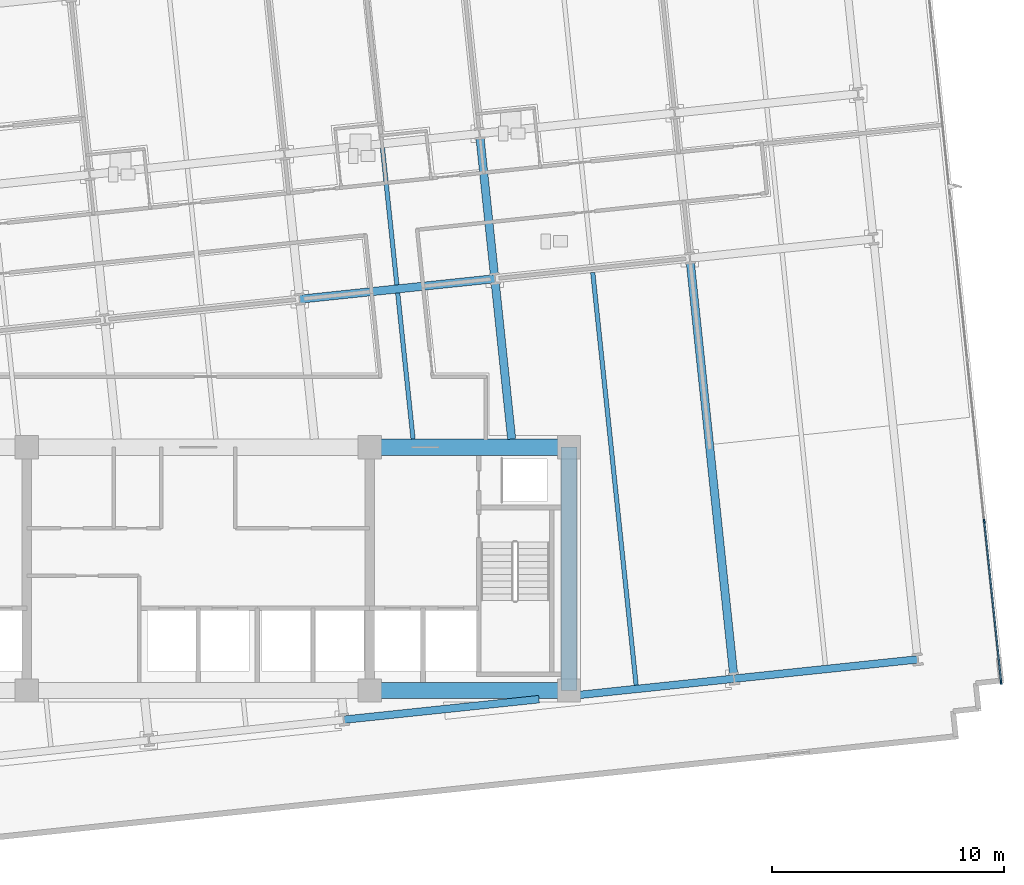
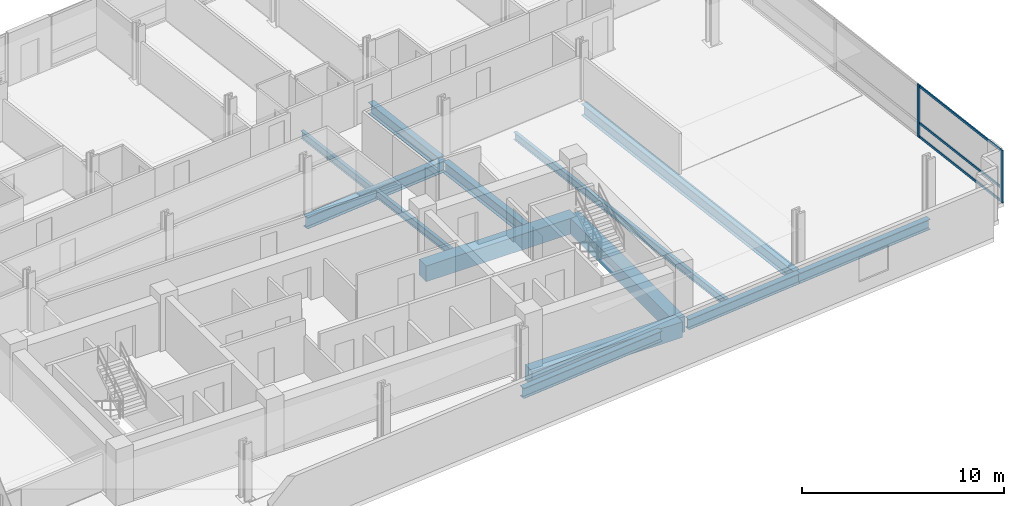
# One storey, part 4 of 18: 13 beams, 5 members, 1 element without a shape of its own.
"""IFC4 building model written with IfcOpenShell, lengths in metres."""

from ifc_helpers import new_model, si_unit, direction, frame, origin, origin_2d, place, context, subcontext, project, spatial, rectangle, i_section, extrude, material, material_profile, profile_set, type_object, element, aggregate, save


model = new_model("IFC4")

# Units and contexts
model_context = context("Model", 3, precision=1e-05, world=origin(), true_north=direction((0.0, 1.0)))
body_context = subcontext(model_context, "Body", "Model", "MODEL_VIEW")
ifc_project = project(units=[si_unit("LENGTHUNIT", "METRE"), si_unit("AREAUNIT", "SQUARE_METRE"), si_unit("VOLUMEUNIT", "CUBIC_METRE"), si_unit("PLANEANGLEUNIT", "RADIAN"), si_unit("MASSUNIT", "GRAM", prefix="KILO")], contexts=[model_context])

# Site, building, storey
site_placement = place(None, origin())
site = spatial("IfcSite", under=ifc_project, at=site_placement, CompositionType="ELEMENT")
building_placement = place(site_placement, origin())
building = spatial("IfcBuilding", under=site, at=building_placement, Name="Solmavex Isthmus Hotel", CompositionType="ELEMENT")
storey_placement = place(building_placement, frame((0.0, 0.0, 120.14990234375)))
storey = spatial("IfcBuildingStorey", under=building, at=storey_placement, Name="L32", CompositionType="ELEMENT", Elevation=120.14990234375)

# Beams
ifc_material_1 = material(Name="Steel ASTM A992 Grade 50", Category="steel")
ifc_material_profile_1 = material_profile(ifc_material_1, i_section(OverallWidth=0.354736328125, OverallDepth=0.695556640625, WebThickness=0.015380859375, FlangeThickness=0.02490234375, FilletRadius=0.017822265625, at=origin_2d()), Name="W27X146")
ifc_profile_set_1 = profile_set([ifc_material_profile_1], Name="Steel ASTM A992 Grade 50")
beam_type_1 = type_object("IfcBeamType", Name="BM-BG-W27X146", PredefinedType="BEAM", material=ifc_profile_set_1)
beam_1_placement = place(storey_placement, frame((4.38037109375, 3.888427734375, -0.607666015625), z_axis=(0.994521085209, 0.104536171134, 0.0), x_axis=(-0.104536171134, 0.994521085209, 0.0)))
element("IfcBeam", 1, at=beam_1_placement, inside=storey, type_object=beam_type_1, Name="Floor Girder L32-UG10", PredefinedType="BEAM", context=body_context, shape_type="SweptSolid", body=[
    extrude(i_section(OverallWidth=0.354736328125, OverallDepth=0.695556640625, WebThickness=0.015380859375, FlangeThickness=0.02490234375, FilletRadius=0.017822265625, at=origin_2d()), origin(), (0.0, 0.0, 1.0), 8.466064453125),
])
beam_2_placement = place(storey_placement, frame((13.52783203125, -2.14990234375, -0.607666015625), z_axis=(-0.104544283528, 0.994520232465, 0.0), x_axis=(-0.994520232465, -0.104544283528, 0.0)))
element("IfcBeam", 2, at=beam_2_placement, inside=storey, type_object=beam_type_1, Name="Floor Beam L32-VG40", PredefinedType="BEAM", context=body_context, shape_type="SweptSolid", body=[
    extrude(i_section(OverallWidth=0.354736328125, OverallDepth=0.695556640625, WebThickness=0.015380859375, FlangeThickness=0.02490234375, FilletRadius=0.017822265625, at=origin_2d()), origin(), (0.0, 0.0, 1.0), 6.783935546875),
])
beam_3_placement = place(storey_placement, frame((12.781494140625, 4.949951171875, -0.607666015625), z_axis=(-0.104505160346, 0.994524344328, 0.0), x_axis=(-0.994524344328, -0.104505160346, 0.0)))
element("IfcBeam", 3, at=beam_3_placement, inside=storey, type_object=beam_type_1, Name="Floor Beam L32-VG41", PredefinedType="BEAM", context=body_context, shape_type="SweptSolid", body=[
    extrude(i_section(OverallWidth=0.354736328125, OverallDepth=0.695556640625, WebThickness=0.015380859375, FlangeThickness=0.02490234375, FilletRadius=0.017822265625, at=origin_2d()), origin(), (0.0, 0.0, 1.0), 5.943115234375),
])
beam_4_placement = place(storey_placement, frame((23.1103515625, -12.329345703125, -0.607666015625), z_axis=(-0.104530088192, 0.99452172458, 0.0), x_axis=(-0.99452172458, -0.104530088192, 0.0)))
element("IfcBeam", 4, at=beam_4_placement, inside=storey, type_object=beam_type_1, Name="Floor Beam L32-VG43", PredefinedType="BEAM", context=body_context, shape_type="SweptSolid", body=[
    extrude(i_section(OverallWidth=0.354736328125, OverallDepth=0.695556640625, WebThickness=0.015380859375, FlangeThickness=0.02490234375, FilletRadius=0.017822265625, at=origin_2d()), origin(), (0.0, 0.0, 1.0), 17.909423828125),
])
ifc_material_profile_2 = material_profile(ifc_material_1, i_section(OverallWidth=0.1904296875, OverallDepth=0.456787109375, WebThickness=0.009033203125, FlangeThickness=0.014404296875, FilletRadius=0.0126953125, at=origin_2d()), Name="W18X50")
ifc_profile_set_2 = profile_set([ifc_material_profile_2], Name="Steel ASTM A992 Grade 50")
beam_type_2 = type_object("IfcBeamType", Name="BM-BJ-W18X50", PredefinedType="JOIST", material=ifc_profile_set_2)
beam_5_placement = place(storey_placement, frame((9.271484375, -2.14990234375, -0.48828125), z_axis=(-0.104524400071, 0.994522322419, 0.0), x_axis=(-0.994522322419, -0.104524400071, 0.0)))
element("IfcBeam", 5, at=beam_5_placement, inside=storey, type_object=beam_type_2, Name="Secondary Floor Joist L32-J13", PredefinedType="JOIST", context=body_context, shape_type="SweptSolid", body=[
    extrude(i_section(OverallWidth=0.1904296875, OverallDepth=0.456787109375, WebThickness=0.009033203125, FlangeThickness=0.014404296875, FilletRadius=0.0126953125, at=origin_2d()), origin(), (0.0, 0.0, 1.0), 6.339111328125),
])
beam_6_placement = place(storey_placement, frame((8.57177734375, 4.50732421875, -0.48828125), z_axis=(-0.104545790518, 0.994520074048, 0.0), x_axis=(-0.994520074048, -0.104545790518, 0.0)))
element("IfcBeam", 6, at=beam_6_placement, inside=storey, type_object=beam_type_2, Name="Secondary Floor Joist L32-J14", PredefinedType="JOIST", context=body_context, shape_type="SweptSolid", body=[
    extrude(i_section(OverallWidth=0.1904296875, OverallDepth=0.456787109375, WebThickness=0.009033203125, FlangeThickness=0.014404296875, FilletRadius=0.0126953125, at=origin_2d()), origin(), (0.0, 0.0, 1.0), 5.943115234375),
])
beam_7_placement = place(storey_placement, frame((18.900390625, -12.771728515625, -0.48828125), z_axis=(-0.104516605126, 0.994523141638, 0.0), x_axis=(-0.994523141638, -0.104516605126, 0.0)))
element("IfcBeam", 7, at=beam_7_placement, inside=storey, type_object=beam_type_2, Name="Secondary Floor Joist L32-J16", PredefinedType="JOIST", context=body_context, shape_type="SweptSolid", body=[
    extrude(i_section(OverallWidth=0.1904296875, OverallDepth=0.456787109375, WebThickness=0.009033203125, FlangeThickness=0.014404296875, FilletRadius=0.0126953125, at=origin_2d()), origin(), (0.0, 0.0, 1.0), 17.909423828125),
])
ifc_material_2 = material(Name="Concrete C60/75", Category="concrete")
ifc_material_profile_3 = material_profile(ifc_material_2, rectangle(XDim=0.699951171875, YDim=0.949951171875, at=origin_2d()), Name="RC700X950")
ifc_profile_set_3 = profile_set([ifc_material_profile_3], Name="Concrete C60/75")
beam_type_3 = type_object("IfcBeamType", Name="BM-CB-700X950", PredefinedType="BEAM", material=ifc_profile_set_3)
for number, where, z_axis, x_axis, name in (
    (8, (7.39990234375, -13.0, -0.73486328125), (1.0, 0.0, 0.0), (0.0, 1.0, 0.0), "Core Coupling Beam L32-CB3"),
    (9, (7.39990234375, -2.5, -0.73486328125), (1.0, 0.0, 0.0), (0.0, 1.0, 0.0), "Core Coupling Beam L32-CB6"),
):
    element("IfcBeam", number, at=place(storey_placement, frame(where, z_axis=z_axis, x_axis=x_axis)), inside=storey, type_object=beam_type_3, Name=name, PredefinedType="BEAM", context=body_context, shape_type="SweptSolid", body=[
        extrude(rectangle(XDim=0.699951171875, YDim=0.949951171875, at=origin_2d()), origin(), (0.0, 0.0, 1.0), 8.60009765625),
    ])
beam_8_placement = place(storey_placement, frame((16.0, -13.0, -0.73486328125), z_axis=(0.0, 1.0, 0.0), x_axis=(-1.0, 0.0, 0.0)))
element("IfcBeam", 10, at=beam_8_placement, inside=storey, type_object=beam_type_3, Name="Core Coupling Beam L32-CB8", PredefinedType="BEAM", context=body_context, shape_type="SweptSolid", body=[
    extrude(rectangle(XDim=0.699951171875, YDim=0.949951171875, at=origin_2d()), origin(), (0.0, 0.0, 1.0), 10.5),
])
ifc_material_profile_4 = material_profile(ifc_material_1, i_section(OverallWidth=0.326416015625, OverallDepth=0.621826171875, WebThickness=0.015380859375, FlangeThickness=0.0244140625, FilletRadius=0.01513671875, at=origin_2d()), Name="W24X131")
ifc_profile_set_4 = profile_set([ifc_material_profile_4], Name="Steel ASTM A992 Grade 50")
beam_type_4 = type_object("IfcBeamType", Name="BM-SP-W24X131", PredefinedType="SPANDREL", material=ifc_profile_set_4)
beam_9_placement = place(storey_placement, frame((6.2880859375, -14.261474609375, -0.57080078125), z_axis=(0.994524082861, 0.104507648572, 0.0), x_axis=(-0.104507648572, 0.994524082861, 0.0)))
element("IfcBeam", 11, at=beam_9_placement, inside=storey, type_object=beam_type_4, Name="Floor Girder L32-UG04", PredefinedType="SPANDREL", context=body_context, shape_type="SweptSolid", body=[
    extrude(i_section(OverallWidth=0.326416015625, OverallDepth=0.621826171875, WebThickness=0.015380859375, FlangeThickness=0.0244140625, FilletRadius=0.01513671875, at=origin_2d()), origin(), (0.0, 0.0, 1.0), 8.466064453125),
])
beam_10_placement = place(storey_placement, frame((16.35009765625, -13.2041015625, -0.57080078125), z_axis=(0.994520754079, 0.10453932134, 0.0), x_axis=(-0.10453932134, 0.994520754079, 0.0)))
element("IfcBeam", 12, at=beam_10_placement, inside=storey, type_object=beam_type_4, Name="Floor Girder L32-UG05", PredefinedType="SPANDREL", context=body_context, shape_type="SweptSolid", body=[
    extrude(i_section(OverallWidth=0.326416015625, OverallDepth=0.621826171875, WebThickness=0.015380859375, FlangeThickness=0.0244140625, FilletRadius=0.01513671875, at=origin_2d()), origin(), (0.0, 0.0, 1.0), 6.814697265625),
])
beam_11_placement = place(storey_placement, frame((23.12744140625, -12.49169921875, -0.57080078125), z_axis=(0.994520217478, 0.10454442609, 0.0), x_axis=(-0.10454442609, 0.994520217478, 0.0)))
element("IfcBeam", 13, at=beam_11_placement, inside=storey, type_object=beam_type_4, Name="Floor Girder L32-UG06", PredefinedType="SPANDREL", context=body_context, shape_type="SweptSolid", body=[
    extrude(i_section(OverallWidth=0.326416015625, OverallDepth=0.621826171875, WebThickness=0.015380859375, FlangeThickness=0.0244140625, FilletRadius=0.01513671875, at=origin_2d()), origin(), (0.0, 0.0, 1.0), 7.968017578125),
])

# Curtain wall, members
ifc_material_3 = material(Name="Aluminium alloy 6063-T6", Category="aluminium")
curtain_wall_type = type_object("IfcCurtainWallType", Name="CW-SYS-03", PredefinedType="NOTDEFINED", material=ifc_material_3)
curtain_wall_placement = place(storey_placement, origin())
curtain_wall = element("IfcCurtainWall", 14, at=curtain_wall_placement, inside=storey, type_object=curtain_wall_type, Name="Stick Curtain Wall CWL-L32-E1", PredefinedType="NOTDEFINED")
ifc_material_profile_5 = material_profile(ifc_material_3, rectangle(XDim=0.070068359375, YDim=0.179931640625, at=origin_2d()), Name="CWM-70X180")
ifc_profile_set_5 = profile_set([ifc_material_profile_5], Name="Aluminium alloy 6063-T6")
member_type_1 = type_object("IfcMemberType", Name="CW-SYS-03-MUL", PredefinedType="MULLION", material=ifc_profile_set_5)
member_1_placement = place(storey_placement, frame((34.6552734375, -12.652587890625, 0.0), z_axis=(0.0, 0.0, 1.0), x_axis=(-0.994521893044, -0.104528485381, 0.0)))
member_1 = element("IfcMember", 15, at=member_1_placement, type_object=member_type_1, Name="CW-03 mullion 1", PredefinedType="MULLION", context=body_context, shape_type="SweptSolid", body=[
    extrude(rectangle(XDim=0.070068359375, YDim=0.179931640625, at=origin_2d()), origin(), (0.0, 0.0, 1.0), 3.190185546875),
])
member_2_placement = place(storey_placement, frame((33.92529296875, -5.705810546875, 0.0), z_axis=(0.0, 0.0, 1.0), x_axis=(-0.994521893044, -0.104528485381, 0.0)))
member_2 = element("IfcMember", 16, at=member_2_placement, type_object=member_type_1, Name="CW-03 mullion 2", PredefinedType="MULLION", context=body_context, shape_type="SweptSolid", body=[
    extrude(rectangle(XDim=0.070068359375, YDim=0.179931640625, at=origin_2d()), origin(), (0.0, 0.0, 1.0), 3.190185546875),
])
ifc_material_profile_6 = material_profile(ifc_material_3, rectangle(XDim=0.070068359375, YDim=0.139892578125, at=origin_2d()), Name="CWT-70X140")
ifc_profile_set_6 = profile_set([ifc_material_profile_6], Name="Aluminium alloy 6063-T6")
member_type_2 = type_object("IfcMemberType", Name="CW-SYS-03-TRN", PredefinedType="USERDEFINED", material=ifc_profile_set_6)
member_3_placement = place(storey_placement, frame((34.651611328125, -12.61767578125, 0.070068359375), z_axis=(-0.104508345235, 0.994524009653, 0.0), x_axis=(-0.994524009653, -0.104508345235, 0.0)))
member_3 = element("IfcMember", 17, at=member_3_placement, type_object=member_type_2, Name="CW-03 transom 1.1", ObjectType="TRANSOM", PredefinedType="USERDEFINED", context=body_context, shape_type="SweptSolid", body=[
    extrude(rectangle(XDim=0.070068359375, YDim=0.139892578125, at=origin_2d()), origin(), (0.0, 0.0, 1.0), 6.914794921875),
])
member_4_placement = place(storey_placement, frame((34.651611328125, -12.61767578125, 0.900146484375), z_axis=(-0.104508345235, 0.994524009653, 0.0), x_axis=(-0.994524009653, -0.104508345235, 0.0)))
member_4 = element("IfcMember", 18, at=member_4_placement, type_object=member_type_2, Name="CW-03 transom 1.2", ObjectType="TRANSOM", PredefinedType="USERDEFINED", context=body_context, shape_type="SweptSolid", body=[
    extrude(rectangle(XDim=0.070068359375, YDim=0.139892578125, at=origin_2d()), origin(), (0.0, 0.0, 1.0), 6.914794921875),
])
member_5_placement = place(storey_placement, frame((34.651611328125, -12.61767578125, 3.1201171875), z_axis=(-0.104508345235, 0.994524009653, 0.0), x_axis=(-0.994524009653, -0.104508345235, 0.0)))
member_5 = element("IfcMember", 19, at=member_5_placement, type_object=member_type_2, Name="CW-03 transom 1.3", ObjectType="TRANSOM", PredefinedType="USERDEFINED", context=body_context, shape_type="SweptSolid", body=[
    extrude(rectangle(XDim=0.070068359375, YDim=0.139892578125, at=origin_2d()), origin(), (0.0, 0.0, 1.0), 6.914794921875),
])
aggregate(curtain_wall, [member_1, member_2, member_3, member_4, member_5])

save(model, "model.ifc")
